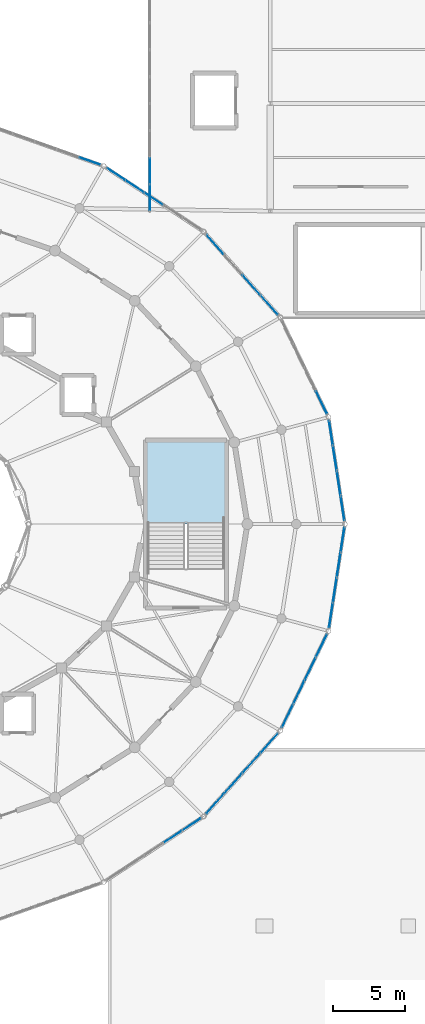
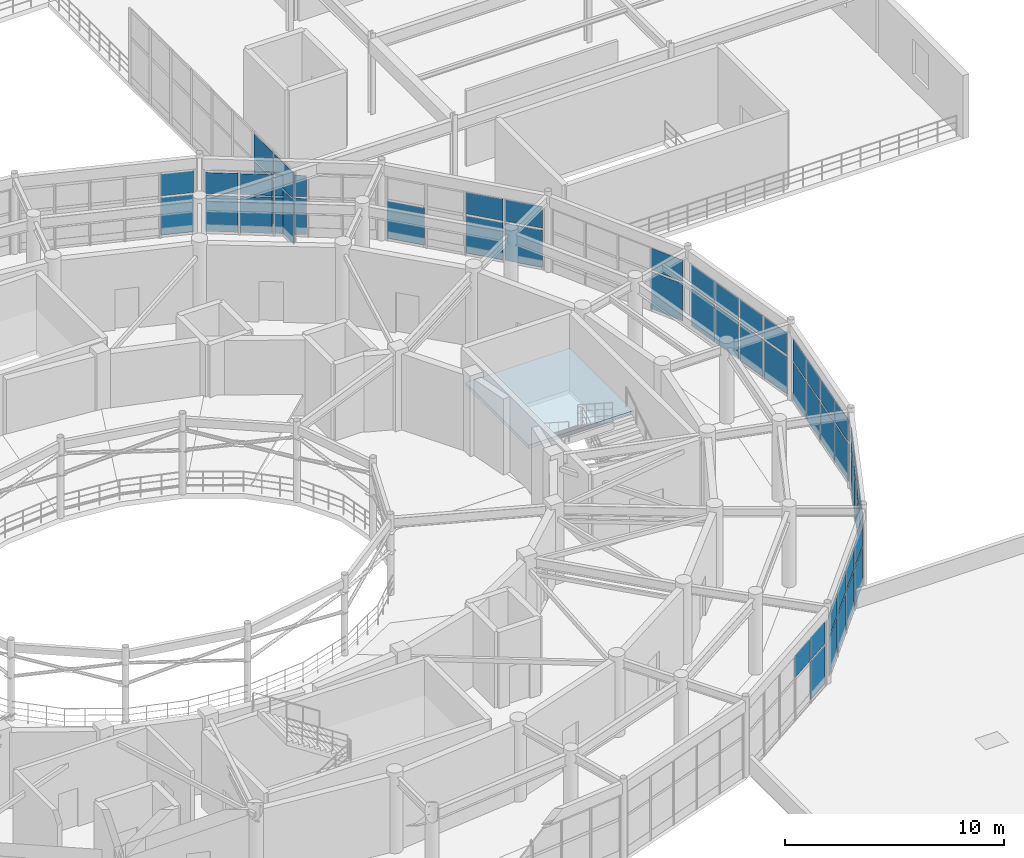
# One storey, part 78 of 112: 54 plates, 1 slab, 11 elements without a shape of their own.
"""IFC4 building model written with IfcOpenShell, lengths in metres."""

from ifc_helpers import new_model, si_unit, direction, frame, origin, origin_2d, place, context, subcontext, project, spatial, polyline, rectangle, outline, extrude, material, layer, layer_set, type_object, element, aggregate, save


model = new_model("IFC4")

# Units and contexts
model_context = context("Model", 3, precision=1e-05, world=origin(), true_north=direction((0.0, 1.0)))
body_context = subcontext(model_context, "Body", "Model", "MODEL_VIEW")
ifc_project = project(units=[si_unit("LENGTHUNIT", "METRE"), si_unit("AREAUNIT", "SQUARE_METRE"), si_unit("VOLUMEUNIT", "CUBIC_METRE"), si_unit("PLANEANGLEUNIT", "RADIAN"), si_unit("MASSUNIT", "GRAM", prefix="KILO")], contexts=[model_context])

# Site, building, storey
site_placement = place(None, origin())
site = spatial("IfcSite", under=ifc_project, at=site_placement, CompositionType="ELEMENT")
building_placement = place(site_placement, origin())
building = spatial("IfcBuilding", under=site, at=building_placement, Name="Cinderbank Siding Concert Hall", CompositionType="ELEMENT")
storey_placement = place(building_placement, frame((0.0, 0.0, 10.199951171875)))
storey = spatial("IfcBuildingStorey", under=building, at=storey_placement, Name="L03", CompositionType="ELEMENT", Elevation=10.199951171875)

# Curtain wall, plates
ifc_material_1 = material(Name="Anodised aluminium alloy 6063-T6", Category="aluminium")
curtain_wall_type_1 = type_object("IfcCurtainWallType", Name="CW-12 Unitised Acoustic Curtain Wall 5800x3500", PredefinedType="NOTDEFINED", material=ifc_material_1)
curtain_wall_1_placement = place(storey_placement, origin())
curtain_wall_1 = element("IfcCurtainWall", 1, at=curtain_wall_1_placement, inside=storey, type_object=curtain_wall_type_1, Name="L03 Curtain Wall CW-12 #48", PredefinedType="NOTDEFINED")
ifc_material_2 = material(Name="Double-glazed laminated acoustic glass", Category="glass")
ifc_layer_1 = layer(ifc_material_2, 0.035888671875)
ifc_layer_set_1 = layer_set([ifc_layer_1], Name="Double-glazed laminated acoustic glass")
plate_type_1 = type_object("IfcPlateType", Name="CP-01 Glazed Curtain Panel 1800x2200", PredefinedType="CURTAIN_PANEL", material=ifc_layer_set_1)
plate_1_placement = place(storey_placement, frame((154.6240234375, 37.64599609375, 0.1201171875), z_axis=(0.0, 0.0, 1.0), x_axis=(0.151815048473, 0.988408918949, 0.0)))
plate_1 = element("IfcPlate", 2, at=plate_1_placement, type_object=plate_type_1, Name="CW-L03-048 Glazed Panel 0-0", PredefinedType="CURTAIN_PANEL", context=body_context, shape_type="SweptSolid", body=[
    extrude(rectangle(XDim=1.671875, YDim=0.035888671875, at=origin_2d()), origin(), (0.0, 0.0, 1.0), 2.093505859375),
])
plate_2_placement = place(storey_placement, frame((154.6240234375, 37.64599609375, 2.333740234375), z_axis=(0.0, 0.0, 1.0), x_axis=(0.151815048473, 0.988408918949, 0.0)))
plate_2 = element("IfcPlate", 3, at=plate_2_placement, type_object=plate_type_1, Name="CW-L03-048 Glazed Panel 0-1", PredefinedType="CURTAIN_PANEL", context=body_context, shape_type="SweptSolid", body=[
    extrude(rectangle(XDim=1.671875, YDim=0.035888671875, at=origin_2d()), origin(), (0.0, 0.0, 1.0), 1.21337890625),
])
plate_3_placement = place(storey_placement, frame((154.89306640625, 39.397216796875, 0.1201171875), z_axis=(0.0, 0.0, 1.0), x_axis=(0.151815048473, 0.988408918949, 0.0)))
plate_3 = element("IfcPlate", 4, at=plate_3_placement, type_object=plate_type_1, Name="CW-L03-048 Glazed Panel 1-0", PredefinedType="CURTAIN_PANEL", context=body_context, shape_type="SweptSolid", body=[
    extrude(rectangle(XDim=1.671875, YDim=0.035888671875, at=origin_2d()), origin(), (0.0, 0.0, 1.0), 2.093505859375),
])
plate_4_placement = place(storey_placement, frame((154.89306640625, 39.397216796875, 2.333740234375), z_axis=(0.0, 0.0, 1.0), x_axis=(0.151815048473, 0.988408918949, 0.0)))
plate_4 = element("IfcPlate", 5, at=plate_4_placement, type_object=plate_type_1, Name="CW-L03-048 Glazed Panel 1-1", PredefinedType="CURTAIN_PANEL", context=body_context, shape_type="SweptSolid", body=[
    extrude(rectangle(XDim=1.671875, YDim=0.035888671875, at=origin_2d()), origin(), (0.0, 0.0, 1.0), 1.21337890625),
])
plate_5_placement = place(storey_placement, frame((155.162109375, 41.148681640625, 0.1201171875), z_axis=(0.0, 0.0, 1.0), x_axis=(0.151815048473, 0.988408918949, 0.0)))
plate_5 = element("IfcPlate", 6, at=plate_5_placement, type_object=plate_type_1, Name="CW-L03-048 Glazed Panel 2-0", PredefinedType="CURTAIN_PANEL", context=body_context, shape_type="SweptSolid", body=[
    extrude(rectangle(XDim=1.671875, YDim=0.035888671875, at=origin_2d()), origin(), (0.0, 0.0, 1.0), 2.093505859375),
])
plate_6_placement = place(storey_placement, frame((155.162109375, 41.148681640625, 2.333740234375), z_axis=(0.0, 0.0, 1.0), x_axis=(0.151815048473, 0.988408918949, 0.0)))
plate_6 = element("IfcPlate", 7, at=plate_6_placement, type_object=plate_type_1, Name="CW-L03-048 Glazed Panel 2-1", PredefinedType="CURTAIN_PANEL", context=body_context, shape_type="SweptSolid", body=[
    extrude(rectangle(XDim=1.671875, YDim=0.035888671875, at=origin_2d()), origin(), (0.0, 0.0, 1.0), 1.21337890625),
])
plate_7_placement = place(storey_placement, frame((155.430908203125, 42.89990234375, 0.1201171875), z_axis=(0.0, 0.0, 1.0), x_axis=(0.151815048473, 0.988408918949, 0.0)))
plate_7 = element("IfcPlate", 8, at=plate_7_placement, type_object=plate_type_1, Name="CW-L03-048 Glazed Panel 3-0", PredefinedType="CURTAIN_PANEL", context=body_context, shape_type="SweptSolid", body=[
    extrude(rectangle(XDim=1.671875, YDim=0.035888671875, at=origin_2d()), origin(), (0.0, 0.0, 1.0), 2.093505859375),
])
plate_8_placement = place(storey_placement, frame((155.430908203125, 42.89990234375, 2.333740234375), z_axis=(0.0, 0.0, 1.0), x_axis=(0.151815048473, 0.988408918949, 0.0)))
plate_8 = element("IfcPlate", 9, at=plate_8_placement, type_object=plate_type_1, Name="CW-L03-048 Glazed Panel 3-1", PredefinedType="CURTAIN_PANEL", context=body_context, shape_type="SweptSolid", body=[
    extrude(rectangle(XDim=1.671875, YDim=0.035888671875, at=origin_2d()), origin(), (0.0, 0.0, 1.0), 1.21337890625),
])
aggregate(curtain_wall_1, [plate_1, plate_2, plate_3, plate_4, plate_5, plate_6, plate_7, plate_8])

curtain_wall_type_2 = type_object("IfcCurtainWallType", Name="CW-01 Unitised Acoustic Curtain Wall 8200x4400", PredefinedType="NOTDEFINED", material=ifc_material_1)
curtain_wall_2_placement = place(storey_placement, origin())
curtain_wall_2 = element("IfcCurtainWall", 10, at=curtain_wall_2_placement, inside=storey, type_object=curtain_wall_type_2, Name="L03 Curtain Wall CW-01 #25", PredefinedType="NOTDEFINED")
ifc_layer_2 = layer(ifc_material_2, 0.035888671875)
ifc_layer_set_2 = layer_set([ifc_layer_2], Name="Double-glazed laminated acoustic glass")
plate_type_2 = type_object("IfcPlateType", Name="CP-02 Glazed Curtain Panel 1800x1900", PredefinedType="CURTAIN_PANEL", material=ifc_layer_set_2)
plate_9_placement = place(storey_placement, frame((155.430908203125, 45.10009765625, 0.1201171875), z_axis=(0.0, 0.0, 1.0), x_axis=(-0.151815048473, 0.988408918949, 0.0)))
plate_9 = element("IfcPlate", 11, at=plate_9_placement, type_object=plate_type_2, Name="CW-L03-025 Glazed Panel 0-0", PredefinedType="CURTAIN_PANEL", context=body_context, shape_type="SweptSolid", body=[
    extrude(rectangle(XDim=1.671875, YDim=0.035888671875, at=origin_2d()), origin(), (0.0, 0.0, 1.0), 2.0625),
])
plate_10_placement = place(storey_placement, frame((155.430908203125, 45.10009765625, 2.302734375), z_axis=(0.0, 0.0, 1.0), x_axis=(-0.151815048473, 0.988408918949, 0.0)))
plate_10 = element("IfcPlate", 12, at=plate_10_placement, type_object=plate_type_2, Name="CW-L03-025 Glazed Panel 0-1", PredefinedType="CURTAIN_PANEL", context=body_context, shape_type="SweptSolid", body=[
    extrude(rectangle(XDim=1.671875, YDim=0.035888671875, at=origin_2d()), origin(), (0.0, 0.0, 1.0), 1.194580078125),
])
plate_11_placement = place(storey_placement, frame((155.162109375, 46.851318359375, 0.1201171875), z_axis=(0.0, 0.0, 1.0), x_axis=(-0.151815048473, 0.988408918949, 0.0)))
plate_11 = element("IfcPlate", 13, at=plate_11_placement, type_object=plate_type_2, Name="CW-L03-025 Glazed Panel 1-0", PredefinedType="CURTAIN_PANEL", context=body_context, shape_type="SweptSolid", body=[
    extrude(rectangle(XDim=1.671875, YDim=0.035888671875, at=origin_2d()), origin(), (0.0, 0.0, 1.0), 2.0625),
])
plate_12_placement = place(storey_placement, frame((155.162109375, 46.851318359375, 2.302734375), z_axis=(0.0, 0.0, 1.0), x_axis=(-0.151815048473, 0.988408918949, 0.0)))
plate_12 = element("IfcPlate", 14, at=plate_12_placement, type_object=plate_type_2, Name="CW-L03-025 Glazed Panel 1-1", PredefinedType="CURTAIN_PANEL", context=body_context, shape_type="SweptSolid", body=[
    extrude(rectangle(XDim=1.671875, YDim=0.035888671875, at=origin_2d()), origin(), (0.0, 0.0, 1.0), 1.194580078125),
])
plate_13_placement = place(storey_placement, frame((154.89306640625, 48.602783203125, 0.1201171875), z_axis=(0.0, 0.0, 1.0), x_axis=(-0.151815048473, 0.988408918949, 0.0)))
plate_13 = element("IfcPlate", 15, at=plate_13_placement, type_object=plate_type_2, Name="CW-L03-025 Glazed Panel 2-0", PredefinedType="CURTAIN_PANEL", context=body_context, shape_type="SweptSolid", body=[
    extrude(rectangle(XDim=1.671875, YDim=0.035888671875, at=origin_2d()), origin(), (0.0, 0.0, 1.0), 2.0625),
])
plate_14_placement = place(storey_placement, frame((154.89306640625, 48.602783203125, 2.302734375), z_axis=(0.0, 0.0, 1.0), x_axis=(-0.151815048473, 0.988408918949, 0.0)))
plate_14 = element("IfcPlate", 16, at=plate_14_placement, type_object=plate_type_2, Name="CW-L03-025 Glazed Panel 2-1", PredefinedType="CURTAIN_PANEL", context=body_context, shape_type="SweptSolid", body=[
    extrude(rectangle(XDim=1.671875, YDim=0.035888671875, at=origin_2d()), origin(), (0.0, 0.0, 1.0), 1.194580078125),
])
plate_15_placement = place(storey_placement, frame((154.6240234375, 50.35400390625, 0.1201171875), z_axis=(0.0, 0.0, 1.0), x_axis=(-0.151815048473, 0.988408918949, 0.0)))
plate_15 = element("IfcPlate", 17, at=plate_15_placement, type_object=plate_type_2, Name="CW-L03-025 Glazed Panel 3-0", PredefinedType="CURTAIN_PANEL", context=body_context, shape_type="SweptSolid", body=[
    extrude(rectangle(XDim=1.671875, YDim=0.035888671875, at=origin_2d()), origin(), (0.0, 0.0, 1.0), 2.0625),
])
plate_16_placement = place(storey_placement, frame((154.6240234375, 50.35400390625, 2.302734375), z_axis=(0.0, 0.0, 1.0), x_axis=(-0.151815048473, 0.988408918949, 0.0)))
plate_16 = element("IfcPlate", 18, at=plate_16_placement, type_object=plate_type_2, Name="CW-L03-025 Glazed Panel 3-1", PredefinedType="CURTAIN_PANEL", context=body_context, shape_type="SweptSolid", body=[
    extrude(rectangle(XDim=1.671875, YDim=0.035888671875, at=origin_2d()), origin(), (0.0, 0.0, 1.0), 1.194580078125),
])
aggregate(curtain_wall_2, [plate_9, plate_10, plate_11, plate_12, plate_13, plate_14, plate_15, plate_16])

curtain_wall_type_3 = type_object("IfcCurtainWallType", Name="CW-02 Unitised Acoustic Curtain Wall 7800x4400", PredefinedType="NOTDEFINED", material=ifc_material_1)
curtain_wall_3_placement = place(storey_placement, origin())
curtain_wall_3 = element("IfcCurtainWall", 19, at=curtain_wall_3_placement, inside=storey, type_object=curtain_wall_type_3, Name="L03 Curtain Wall CW-02 #26", PredefinedType="NOTDEFINED")
ifc_layer_3 = layer(ifc_material_2, 0.035888671875)
ifc_layer_set_3 = layer_set([ifc_layer_3], Name="Double-glazed laminated acoustic glass")
plate_type_3 = type_object("IfcPlateType", Name="CP-03 Glazed Curtain Panel 1600x2100", PredefinedType="CURTAIN_PANEL", material=ifc_layer_set_3)
plate_17_placement = place(storey_placement, frame((153.96142578125, 52.4755859375, 0.1201171875), z_axis=(0.0, 0.0, 1.0), x_axis=(-0.435102109714, 0.900381116041, 0.0)))
plate_17 = element("IfcPlate", 20, at=plate_17_placement, type_object=plate_type_3, Name="CW-L03-026 Glazed Panel 0-0", PredefinedType="CURTAIN_PANEL", context=body_context, shape_type="SweptSolid", body=[
    extrude(rectangle(XDim=1.715087890625, YDim=0.035888671875, at=origin_2d()), origin(), (0.0, 0.0, 1.0), 2.0625),
])
plate_18_placement = place(storey_placement, frame((153.96142578125, 52.4755859375, 2.302734375), z_axis=(0.0, 0.0, 1.0), x_axis=(-0.435102109714, 0.900381116041, 0.0)))
plate_18 = element("IfcPlate", 21, at=plate_18_placement, type_object=plate_type_3, Name="CW-L03-026 Glazed Panel 0-1", PredefinedType="CURTAIN_PANEL", context=body_context, shape_type="SweptSolid", body=[
    extrude(rectangle(XDim=1.715087890625, YDim=0.035888671875, at=origin_2d()), origin(), (0.0, 0.0, 1.0), 1.194580078125),
])
aggregate(curtain_wall_3, [plate_17, plate_18])

curtain_wall_type_4 = type_object("IfcCurtainWallType", Name="CW-03 Unitised Acoustic Curtain Wall 7400x4400", PredefinedType="NOTDEFINED", material=ifc_material_1)
curtain_wall_4_placement = place(storey_placement, origin())
curtain_wall_4 = element("IfcCurtainWall", 22, at=curtain_wall_4_placement, inside=storey, type_object=curtain_wall_type_4, Name="L03 Curtain Wall CW-03 #27", PredefinedType="NOTDEFINED")
ifc_layer_4 = layer(ifc_material_2, 0.031982421875)
ifc_layer_set_4 = layer_set([ifc_layer_4], Name="Double-glazed laminated acoustic glass")
plate_type_4 = type_object("IfcPlateType", Name="CP-04 Glazed Curtain Panel 1400x2000", PredefinedType="CURTAIN_PANEL", material=ifc_layer_set_4)
plate_19_placement = place(storey_placement, frame((150.3173828125, 59.2724609375, 0.1201171875), z_axis=(0.0, 0.0, 1.0), x_axis=(-0.666993465338, 0.745063565877, 0.0)))
plate_19 = element("IfcPlate", 23, at=plate_19_placement, type_object=plate_type_4, Name="CW-L03-027 Glazed Panel 0-0", PredefinedType="CURTAIN_PANEL", context=body_context, shape_type="SweptSolid", body=[
    extrude(rectangle(XDim=1.787841796875, YDim=0.035888671875, at=origin_2d()), origin(), (0.0, 0.0, 1.0), 2.0625),
])
plate_20_placement = place(storey_placement, frame((150.3173828125, 59.2724609375, 2.302734375), z_axis=(0.0, 0.0, 1.0), x_axis=(-0.666993465338, 0.745063565877, 0.0)))
plate_20 = element("IfcPlate", 24, at=plate_20_placement, type_object=plate_type_4, Name="CW-L03-027 Glazed Panel 0-1", PredefinedType="CURTAIN_PANEL", context=body_context, shape_type="SweptSolid", body=[
    extrude(rectangle(XDim=1.787841796875, YDim=0.035888671875, at=origin_2d()), origin(), (0.0, 0.0, 1.0), 1.194580078125),
])
plate_21_placement = place(storey_placement, frame((149.058349609375, 60.678955078125, 0.1201171875), z_axis=(0.0, 0.0, 1.0), x_axis=(-0.666993465338, 0.745063565877, 0.0)))
plate_21 = element("IfcPlate", 25, at=plate_21_placement, type_object=plate_type_4, Name="CW-L03-027 Glazed Panel 1-0", PredefinedType="CURTAIN_PANEL", context=body_context, shape_type="SweptSolid", body=[
    extrude(rectangle(XDim=1.787841796875, YDim=0.035888671875, at=origin_2d()), origin(), (0.0, 0.0, 1.0), 2.0625),
])
plate_22_placement = place(storey_placement, frame((149.058349609375, 60.678955078125, 2.302734375), z_axis=(0.0, 0.0, 1.0), x_axis=(-0.666993465338, 0.745063565877, 0.0)))
plate_22 = element("IfcPlate", 26, at=plate_22_placement, type_object=plate_type_4, Name="CW-L03-027 Glazed Panel 1-1", PredefinedType="CURTAIN_PANEL", context=body_context, shape_type="SweptSolid", body=[
    extrude(rectangle(XDim=1.787841796875, YDim=0.035888671875, at=origin_2d()), origin(), (0.0, 0.0, 1.0), 1.194580078125),
])
plate_23_placement = place(storey_placement, frame((146.539794921875, 63.4921875, 0.1201171875), z_axis=(0.0, 0.0, 1.0), x_axis=(-0.666993465338, 0.745063565877, 0.0)))
plate_23 = element("IfcPlate", 27, at=plate_23_placement, type_object=plate_type_4, Name="CW-L03-027 Glazed Panel 3-0", PredefinedType="CURTAIN_PANEL", context=body_context, shape_type="SweptSolid", body=[
    extrude(rectangle(XDim=1.787841796875, YDim=0.035888671875, at=origin_2d()), origin(), (0.0, 0.0, 1.0), 2.0625),
])
aggregate(curtain_wall_4, [plate_19, plate_20, plate_21, plate_22, plate_23])

curtain_wall_type_5 = type_object("IfcCurtainWallType", Name="CW-04 Unitised Acoustic Curtain Wall 7000x4400", PredefinedType="NOTDEFINED", material=ifc_material_1)
curtain_wall_5_placement = place(storey_placement, origin())
curtain_wall_5 = element("IfcCurtainWall", 28, at=curtain_wall_5_placement, inside=storey, type_object=curtain_wall_type_5, Name="L03 Curtain Wall CW-04 #28", PredefinedType="NOTDEFINED")
ifc_layer_5 = layer(ifc_material_2, 0.031982421875)
ifc_layer_set_5 = layer_set([ifc_layer_5], Name="Double-glazed laminated acoustic glass")
plate_type_5 = type_object("IfcPlateType", Name="CP-05 Glazed Curtain Panel 1200x1800", PredefinedType="CURTAIN_PANEL", material=ifc_layer_set_5)
plate_24_placement = place(storey_placement, frame((142.279296875, 66.653076171875, 0.1201171875), z_axis=(0.0, 0.0, 1.0), x_axis=(-0.835491932304, 0.549502712509, 0.0)))
plate_24 = element("IfcPlate", 29, at=plate_24_placement, type_object=plate_type_5, Name="CW-L03-028 Glazed Panel 2-0", PredefinedType="CURTAIN_PANEL", context=body_context, shape_type="SweptSolid", body=[
    extrude(rectangle(XDim=1.47509765625, YDim=0.035888671875, at=origin_2d()), origin(), (0.0, 0.0, 1.0), 2.00048828125),
])
plate_25_placement = place(storey_placement, frame((142.279296875, 66.653076171875, 2.24072265625), z_axis=(0.0, 0.0, 1.0), x_axis=(-0.835491932304, 0.549502712509, 0.0)))
plate_25 = element("IfcPlate", 30, at=plate_25_placement, type_object=plate_type_5, Name="CW-L03-028 Glazed Panel 2-1", PredefinedType="CURTAIN_PANEL", context=body_context, shape_type="SweptSolid", body=[
    extrude(rectangle(XDim=1.47509765625, YDim=0.035888671875, at=origin_2d()), origin(), (0.0, 0.0, 1.0), 1.156494140625),
])
plate_26_placement = place(storey_placement, frame((140.96337890625, 67.5185546875, 0.1201171875), z_axis=(0.0, 0.0, 1.0), x_axis=(-0.835491932304, 0.549502712509, 0.0)))
plate_26 = element("IfcPlate", 31, at=plate_26_placement, type_object=plate_type_5, Name="CW-L03-028 Glazed Panel 3-0", PredefinedType="CURTAIN_PANEL", context=body_context, shape_type="SweptSolid", body=[
    extrude(rectangle(XDim=1.47509765625, YDim=0.035888671875, at=origin_2d()), origin(), (0.0, 0.0, 1.0), 2.00048828125),
])
plate_27_placement = place(storey_placement, frame((140.96337890625, 67.5185546875, 2.24072265625), z_axis=(0.0, 0.0, 1.0), x_axis=(-0.835491932304, 0.549502712509, 0.0)))
plate_27 = element("IfcPlate", 32, at=plate_27_placement, type_object=plate_type_5, Name="CW-L03-028 Glazed Panel 3-1", PredefinedType="CURTAIN_PANEL", context=body_context, shape_type="SweptSolid", body=[
    extrude(rectangle(XDim=1.47509765625, YDim=0.035888671875, at=origin_2d()), origin(), (0.0, 0.0, 1.0), 1.156494140625),
])
plate_28_placement = place(storey_placement, frame((139.647705078125, 68.384033203125, 0.1201171875), z_axis=(0.0, 0.0, 1.0), x_axis=(-0.835491932304, 0.549502712509, 0.0)))
plate_28 = element("IfcPlate", 33, at=plate_28_placement, type_object=plate_type_5, Name="CW-L03-028 Glazed Panel 4-0", PredefinedType="CURTAIN_PANEL", context=body_context, shape_type="SweptSolid", body=[
    extrude(rectangle(XDim=1.47509765625, YDim=0.035888671875, at=origin_2d()), origin(), (0.0, 0.0, 1.0), 2.00048828125),
])
plate_29_placement = place(storey_placement, frame((139.647705078125, 68.384033203125, 2.24072265625), z_axis=(0.0, 0.0, 1.0), x_axis=(-0.835491932304, 0.549502712509, 0.0)))
plate_29 = element("IfcPlate", 34, at=plate_29_placement, type_object=plate_type_5, Name="CW-L03-028 Glazed Panel 4-1", PredefinedType="CURTAIN_PANEL", context=body_context, shape_type="SweptSolid", body=[
    extrude(rectangle(XDim=1.47509765625, YDim=0.035888671875, at=origin_2d()), origin(), (0.0, 0.0, 1.0), 1.156494140625),
])
aggregate(curtain_wall_5, [plate_24, plate_25, plate_26, plate_27, plate_28, plate_29])

curtain_wall_type_6 = type_object("IfcCurtainWallType", Name="CW-16 Unitised Acoustic Curtain Wall 9200x3800", PredefinedType="NOTDEFINED", material=ifc_material_1)
curtain_wall_6_placement = place(storey_placement, origin())
curtain_wall_6 = element("IfcCurtainWall", 35, at=curtain_wall_6_placement, inside=storey, type_object=curtain_wall_type_6, Name="L03 Curtain Wall CW-16 #148", PredefinedType="NOTDEFINED")
plate_30_placement = place(storey_placement, frame((142.0, 66.737548828125, 0.1201171875), z_axis=(0.0, 0.0, 1.0), x_axis=(0.0, 1.0, 0.0)))
plate_30 = element("IfcPlate", 36, at=plate_30_placement, type_object=plate_type_5, Name="CW-L03-148 Glazed Panel 0-0", PredefinedType="CURTAIN_PANEL", context=body_context, shape_type="SweptSolid", body=[
    extrude(rectangle(XDim=1.77490234375, YDim=0.035888671875, at=origin_2d()), origin(), (0.0, 0.0, 1.0), 2.433349609375),
])
plate_31_placement = place(storey_placement, frame((142.0, 66.737548828125, 2.67333984375), z_axis=(0.0, 0.0, 1.0), x_axis=(0.0, 1.0, 0.0)))
plate_31 = element("IfcPlate", 37, at=plate_31_placement, type_object=plate_type_5, Name="CW-L03-148 Glazed Panel 0-1", PredefinedType="CURTAIN_PANEL", context=body_context, shape_type="SweptSolid", body=[
    extrude(rectangle(XDim=1.77490234375, YDim=0.035888671875, at=origin_2d()), origin(), (0.0, 0.0, 1.0), 1.421630859375),
])
plate_32_placement = place(storey_placement, frame((142.0, 68.612548828125, 0.1201171875), z_axis=(0.0, 0.0, 1.0), x_axis=(0.0, 1.0, 0.0)))
plate_32 = element("IfcPlate", 38, at=plate_32_placement, type_object=plate_type_5, Name="CW-L03-148 Glazed Panel 1-0", PredefinedType="CURTAIN_PANEL", context=body_context, shape_type="SweptSolid", body=[
    extrude(rectangle(XDim=1.77490234375, YDim=0.035888671875, at=origin_2d()), origin(), (0.0, 0.0, 1.0), 2.433349609375),
])
plate_33_placement = place(storey_placement, frame((142.0, 68.612548828125, 2.67333984375), z_axis=(0.0, 0.0, 1.0), x_axis=(0.0, 1.0, 0.0)))
plate_33 = element("IfcPlate", 39, at=plate_33_placement, type_object=plate_type_5, Name="CW-L03-148 Glazed Panel 1-1", PredefinedType="CURTAIN_PANEL", context=body_context, shape_type="SweptSolid", body=[
    extrude(rectangle(XDim=1.77490234375, YDim=0.035888671875, at=origin_2d()), origin(), (0.0, 0.0, 1.0), 1.421630859375),
])
aggregate(curtain_wall_6, [plate_30, plate_31, plate_32, plate_33])

curtain_wall_type_7 = type_object("IfcCurtainWallType", Name="CW-05 Unitised Acoustic Curtain Wall 8200x3800", PredefinedType="NOTDEFINED", material=ifc_material_1)
curtain_wall_7_placement = place(storey_placement, origin())
curtain_wall_7 = element("IfcCurtainWall", 40, at=curtain_wall_7_placement, inside=storey, type_object=curtain_wall_type_7, Name="L03 Curtain Wall CW-05 #29", PredefinedType="NOTDEFINED")
ifc_layer_6 = layer(ifc_material_2, 0.0380859375)
ifc_layer_set_6 = layer_set([ifc_layer_6], Name="Double-glazed laminated acoustic glass")
plate_type_6 = type_object("IfcPlateType", Name="CP-06 Glazed Curtain Panel 2100x1600", PredefinedType="CURTAIN_PANEL", material=ifc_layer_set_6)
plate_34_placement = place(storey_placement, frame((137.818603515625, 69.2900390625, 0.1201171875), z_axis=(0.0, 0.0, 1.0), x_axis=(-0.942365662238, 0.334584755532, 0.0)))
plate_34 = element("IfcPlate", 41, at=plate_34_placement, type_object=plate_type_6, Name="CW-L03-029 Glazed Panel 0-0", PredefinedType="CURTAIN_PANEL", context=body_context, shape_type="SweptSolid", body=[
    extrude(rectangle(XDim=1.529052734375, YDim=0.035888671875, at=origin_2d()), origin(), (0.0, 0.0, 1.0), 2.0625),
])
plate_35_placement = place(storey_placement, frame((137.818603515625, 69.2900390625, 2.302734375), z_axis=(0.0, 0.0, 1.0), x_axis=(-0.942365662238, 0.334584755532, 0.0)))
plate_35 = element("IfcPlate", 42, at=plate_35_placement, type_object=plate_type_6, Name="CW-L03-029 Glazed Panel 0-1", PredefinedType="CURTAIN_PANEL", context=body_context, shape_type="SweptSolid", body=[
    extrude(rectangle(XDim=1.529052734375, YDim=0.035888671875, at=origin_2d()), origin(), (0.0, 0.0, 1.0), 1.194580078125),
])
aggregate(curtain_wall_7, [plate_34, plate_35])

curtain_wall_type_8 = type_object("IfcCurtainWallType", Name="CW-09 Unitised Acoustic Curtain Wall 8000x3500", PredefinedType="NOTDEFINED", material=ifc_material_1)
curtain_wall_8_placement = place(storey_placement, origin())
curtain_wall_8 = element("IfcCurtainWall", 43, at=curtain_wall_8_placement, inside=storey, type_object=curtain_wall_type_8, Name="L03 Curtain Wall CW-09 #45", PredefinedType="NOTDEFINED")
plate_36_placement = place(storey_placement, frame((143.59521484375, 22.21240234375, 2.333740234375), z_axis=(0.0, 0.0, 1.0), x_axis=(0.835491932304, 0.549502712509, 0.0)))
plate_36 = element("IfcPlate", 44, at=plate_36_placement, type_object=plate_type_6, Name="CW-L03-045 Glazed Panel 3-1", PredefinedType="CURTAIN_PANEL", context=body_context, shape_type="SweptSolid", body=[
    extrude(rectangle(XDim=1.47509765625, YDim=0.035888671875, at=origin_2d()), origin(), (0.0, 0.0, 1.0), 1.21337890625),
])
plate_37_placement = place(storey_placement, frame((144.9111328125, 23.077880859375, 0.1201171875), z_axis=(0.0, 0.0, 1.0), x_axis=(0.835491932304, 0.549502712509, 0.0)))
plate_37 = element("IfcPlate", 45, at=plate_37_placement, type_object=plate_type_6, Name="CW-L03-045 Glazed Panel 4-0", PredefinedType="CURTAIN_PANEL", context=body_context, shape_type="SweptSolid", body=[
    extrude(rectangle(XDim=1.47509765625, YDim=0.035888671875, at=origin_2d()), origin(), (0.0, 0.0, 1.0), 2.093505859375),
])
plate_38_placement = place(storey_placement, frame((144.9111328125, 23.077880859375, 2.333740234375), z_axis=(0.0, 0.0, 1.0), x_axis=(0.835491932304, 0.549502712509, 0.0)))
plate_38 = element("IfcPlate", 46, at=plate_38_placement, type_object=plate_type_6, Name="CW-L03-045 Glazed Panel 4-1", PredefinedType="CURTAIN_PANEL", context=body_context, shape_type="SweptSolid", body=[
    extrude(rectangle(XDim=1.47509765625, YDim=0.035888671875, at=origin_2d()), origin(), (0.0, 0.0, 1.0), 1.21337890625),
])
aggregate(curtain_wall_8, [plate_36, plate_37, plate_38])

curtain_wall_type_9 = type_object("IfcCurtainWallType", Name="CW-10 Unitised Acoustic Curtain Wall 7200x3500", PredefinedType="NOTDEFINED", material=ifc_material_1)
curtain_wall_9_placement = place(storey_placement, origin())
curtain_wall_9 = element("IfcCurtainWall", 47, at=curtain_wall_9_placement, inside=storey, type_object=curtain_wall_type_9, Name="L03 Curtain Wall CW-10 #46", PredefinedType="NOTDEFINED")
ifc_layer_7 = layer(ifc_material_2, 0.033935546875)
ifc_layer_set_7 = layer_set([ifc_layer_7], Name="Double-glazed laminated acoustic glass")
plate_type_7 = type_object("IfcPlateType", Name="CP-07 Glazed Curtain Panel 1500x1750", PredefinedType="CURTAIN_PANEL", material=ifc_layer_set_7)
plate_39_placement = place(storey_placement, frame((146.539794921875, 24.5078125, 0.1201171875), z_axis=(0.0, 0.0, 1.0), x_axis=(0.666993465338, 0.745063565877, 0.0)))
plate_39 = element("IfcPlate", 48, at=plate_39_placement, type_object=plate_type_7, Name="CW-L03-046 Glazed Panel 0-0", PredefinedType="CURTAIN_PANEL", context=body_context, shape_type="SweptSolid", body=[
    extrude(rectangle(XDim=1.787841796875, YDim=0.035888671875, at=origin_2d()), origin(), (0.0, 0.0, 1.0), 2.093505859375),
])
plate_40_placement = place(storey_placement, frame((146.539794921875, 24.5078125, 2.333740234375), z_axis=(0.0, 0.0, 1.0), x_axis=(0.666993465338, 0.745063565877, 0.0)))
plate_40 = element("IfcPlate", 49, at=plate_40_placement, type_object=plate_type_7, Name="CW-L03-046 Glazed Panel 0-1", PredefinedType="CURTAIN_PANEL", context=body_context, shape_type="SweptSolid", body=[
    extrude(rectangle(XDim=1.787841796875, YDim=0.035888671875, at=origin_2d()), origin(), (0.0, 0.0, 1.0), 1.21337890625),
])
plate_41_placement = place(storey_placement, frame((147.799072265625, 25.914306640625, 0.1201171875), z_axis=(0.0, 0.0, 1.0), x_axis=(0.666993465338, 0.745063565877, 0.0)))
plate_41 = element("IfcPlate", 50, at=plate_41_placement, type_object=plate_type_7, Name="CW-L03-046 Glazed Panel 1-0", PredefinedType="CURTAIN_PANEL", context=body_context, shape_type="SweptSolid", body=[
    extrude(rectangle(XDim=1.787841796875, YDim=0.035888671875, at=origin_2d()), origin(), (0.0, 0.0, 1.0), 2.093505859375),
])
plate_42_placement = place(storey_placement, frame((147.799072265625, 25.914306640625, 2.333740234375), z_axis=(0.0, 0.0, 1.0), x_axis=(0.666993465338, 0.745063565877, 0.0)))
plate_42 = element("IfcPlate", 51, at=plate_42_placement, type_object=plate_type_7, Name="CW-L03-046 Glazed Panel 1-1", PredefinedType="CURTAIN_PANEL", context=body_context, shape_type="SweptSolid", body=[
    extrude(rectangle(XDim=1.787841796875, YDim=0.035888671875, at=origin_2d()), origin(), (0.0, 0.0, 1.0), 1.21337890625),
])
plate_43_placement = place(storey_placement, frame((149.058349609375, 27.321044921875, 0.1201171875), z_axis=(0.0, 0.0, 1.0), x_axis=(0.666993465338, 0.745063565877, 0.0)))
plate_43 = element("IfcPlate", 52, at=plate_43_placement, type_object=plate_type_7, Name="CW-L03-046 Glazed Panel 2-0", PredefinedType="CURTAIN_PANEL", context=body_context, shape_type="SweptSolid", body=[
    extrude(rectangle(XDim=1.787841796875, YDim=0.035888671875, at=origin_2d()), origin(), (0.0, 0.0, 1.0), 2.093505859375),
])
plate_44_placement = place(storey_placement, frame((149.058349609375, 27.321044921875, 2.333740234375), z_axis=(0.0, 0.0, 1.0), x_axis=(0.666993465338, 0.745063565877, 0.0)))
plate_44 = element("IfcPlate", 53, at=plate_44_placement, type_object=plate_type_7, Name="CW-L03-046 Glazed Panel 2-1", PredefinedType="CURTAIN_PANEL", context=body_context, shape_type="SweptSolid", body=[
    extrude(rectangle(XDim=1.787841796875, YDim=0.035888671875, at=origin_2d()), origin(), (0.0, 0.0, 1.0), 1.21337890625),
])
plate_45_placement = place(storey_placement, frame((150.3173828125, 28.7275390625, 0.1201171875), z_axis=(0.0, 0.0, 1.0), x_axis=(0.666993465338, 0.745063565877, 0.0)))
plate_45 = element("IfcPlate", 54, at=plate_45_placement, type_object=plate_type_7, Name="CW-L03-046 Glazed Panel 3-0", PredefinedType="CURTAIN_PANEL", context=body_context, shape_type="SweptSolid", body=[
    extrude(rectangle(XDim=1.787841796875, YDim=0.035888671875, at=origin_2d()), origin(), (0.0, 0.0, 1.0), 2.093505859375),
])
plate_46_placement = place(storey_placement, frame((150.3173828125, 28.7275390625, 2.333740234375), z_axis=(0.0, 0.0, 1.0), x_axis=(0.666993465338, 0.745063565877, 0.0)))
plate_46 = element("IfcPlate", 55, at=plate_46_placement, type_object=plate_type_7, Name="CW-L03-046 Glazed Panel 3-1", PredefinedType="CURTAIN_PANEL", context=body_context, shape_type="SweptSolid", body=[
    extrude(rectangle(XDim=1.787841796875, YDim=0.035888671875, at=origin_2d()), origin(), (0.0, 0.0, 1.0), 1.21337890625),
])
aggregate(curtain_wall_9, [plate_39, plate_40, plate_41, plate_42, plate_43, plate_44, plate_45, plate_46])

curtain_wall_type_10 = type_object("IfcCurtainWallType", Name="CW-11 Unitised Acoustic Curtain Wall 6600x3500", PredefinedType="NOTDEFINED", material=ifc_material_1)
curtain_wall_10_placement = place(storey_placement, origin())
curtain_wall_10 = element("IfcCurtainWall", 56, at=curtain_wall_10_placement, inside=storey, type_object=curtain_wall_type_10, Name="L03 Curtain Wall CW-11 #47", PredefinedType="NOTDEFINED")
ifc_layer_8 = layer(ifc_material_2, 0.033935546875)
ifc_layer_set_8 = layer_set([ifc_layer_8], Name="Double-glazed laminated acoustic glass")
plate_type_8 = type_object("IfcPlateType", Name="CP-08 Glazed Curtain Panel 1700x1550", PredefinedType="CURTAIN_PANEL", material=ifc_layer_set_8)
plate_47_placement = place(storey_placement, frame((151.592041015625, 30.62158203125, 0.1201171875), z_axis=(0.0, 0.0, 1.0), x_axis=(0.435102109714, 0.900381116041, 0.0)))
plate_47 = element("IfcPlate", 57, at=plate_47_placement, type_object=plate_type_8, Name="CW-L03-047 Glazed Panel 0-0", PredefinedType="CURTAIN_PANEL", context=body_context, shape_type="SweptSolid", body=[
    extrude(rectangle(XDim=1.715087890625, YDim=0.035888671875, at=origin_2d()), origin(), (0.0, 0.0, 1.0), 2.093505859375),
])
plate_48_placement = place(storey_placement, frame((151.592041015625, 30.62158203125, 2.333740234375), z_axis=(0.0, 0.0, 1.0), x_axis=(0.435102109714, 0.900381116041, 0.0)))
plate_48 = element("IfcPlate", 58, at=plate_48_placement, type_object=plate_type_8, Name="CW-L03-047 Glazed Panel 0-1", PredefinedType="CURTAIN_PANEL", context=body_context, shape_type="SweptSolid", body=[
    extrude(rectangle(XDim=1.715087890625, YDim=0.035888671875, at=origin_2d()), origin(), (0.0, 0.0, 1.0), 1.21337890625),
])
plate_49_placement = place(storey_placement, frame((152.3818359375, 32.255859375, 0.1201171875), z_axis=(0.0, 0.0, 1.0), x_axis=(0.435102109714, 0.900381116041, 0.0)))
plate_49 = element("IfcPlate", 59, at=plate_49_placement, type_object=plate_type_8, Name="CW-L03-047 Glazed Panel 1-0", PredefinedType="CURTAIN_PANEL", context=body_context, shape_type="SweptSolid", body=[
    extrude(rectangle(XDim=1.715087890625, YDim=0.035888671875, at=origin_2d()), origin(), (0.0, 0.0, 1.0), 2.093505859375),
])
plate_50_placement = place(storey_placement, frame((152.3818359375, 32.255859375, 2.333740234375), z_axis=(0.0, 0.0, 1.0), x_axis=(0.435102109714, 0.900381116041, 0.0)))
plate_50 = element("IfcPlate", 60, at=plate_50_placement, type_object=plate_type_8, Name="CW-L03-047 Glazed Panel 1-1", PredefinedType="CURTAIN_PANEL", context=body_context, shape_type="SweptSolid", body=[
    extrude(rectangle(XDim=1.715087890625, YDim=0.035888671875, at=origin_2d()), origin(), (0.0, 0.0, 1.0), 1.21337890625),
])
plate_51_placement = place(storey_placement, frame((153.171630859375, 33.89013671875, 0.1201171875), z_axis=(0.0, 0.0, 1.0), x_axis=(0.435102109714, 0.900381116041, 0.0)))
plate_51 = element("IfcPlate", 61, at=plate_51_placement, type_object=plate_type_8, Name="CW-L03-047 Glazed Panel 2-0", PredefinedType="CURTAIN_PANEL", context=body_context, shape_type="SweptSolid", body=[
    extrude(rectangle(XDim=1.715087890625, YDim=0.035888671875, at=origin_2d()), origin(), (0.0, 0.0, 1.0), 2.093505859375),
])
plate_52_placement = place(storey_placement, frame((153.171630859375, 33.89013671875, 2.333740234375), z_axis=(0.0, 0.0, 1.0), x_axis=(0.435102109714, 0.900381116041, 0.0)))
plate_52 = element("IfcPlate", 62, at=plate_52_placement, type_object=plate_type_8, Name="CW-L03-047 Glazed Panel 2-1", PredefinedType="CURTAIN_PANEL", context=body_context, shape_type="SweptSolid", body=[
    extrude(rectangle(XDim=1.715087890625, YDim=0.035888671875, at=origin_2d()), origin(), (0.0, 0.0, 1.0), 1.21337890625),
])
plate_53_placement = place(storey_placement, frame((153.96142578125, 35.5244140625, 0.1201171875), z_axis=(0.0, 0.0, 1.0), x_axis=(0.435102109714, 0.900381116041, 0.0)))
plate_53 = element("IfcPlate", 63, at=plate_53_placement, type_object=plate_type_8, Name="CW-L03-047 Glazed Panel 3-0", PredefinedType="CURTAIN_PANEL", context=body_context, shape_type="SweptSolid", body=[
    extrude(rectangle(XDim=1.715087890625, YDim=0.035888671875, at=origin_2d()), origin(), (0.0, 0.0, 1.0), 2.093505859375),
])
plate_54_placement = place(storey_placement, frame((153.96142578125, 35.5244140625, 2.333740234375), z_axis=(0.0, 0.0, 1.0), x_axis=(0.435102109714, 0.900381116041, 0.0)))
plate_54 = element("IfcPlate", 64, at=plate_54_placement, type_object=plate_type_8, Name="CW-L03-047 Glazed Panel 3-1", PredefinedType="CURTAIN_PANEL", context=body_context, shape_type="SweptSolid", body=[
    extrude(rectangle(XDim=1.715087890625, YDim=0.035888671875, at=origin_2d()), origin(), (0.0, 0.0, 1.0), 1.21337890625),
])
aggregate(curtain_wall_10, [plate_47, plate_48, plate_49, plate_50, plate_51, plate_52, plate_53, plate_54])

# Stair, slab
ifc_material_3 = material(Name="Reinforced concrete AS 3600 N50 (50 MPa)", Category="concrete")
stair_type = type_object("IfcStairType", Name="STR-B Dogleg Exit Stair 2600mm", PredefinedType="HALF_TURN_STAIR", material=ifc_material_3)
stair_placement = place(storey_placement, origin())
stair = element("IfcStair", 65, at=stair_placement, inside=storey, type_object=stair_type, Name="L03 Fire-isolated Exit Stair ST-03", PredefinedType="HALF_TURN_STAIR")
ifc_layer_9 = layer(ifc_material_3, 0.199951171875)
ifc_layer_set_9 = layer_set([ifc_layer_9], Name="Reinforced concrete AS 3600 N50 (50 MPa)")
slab_type = type_object("IfcSlabType", Name="LD-02 Slab 200mm", PredefinedType="LANDING", material=ifc_layer_set_9)
slab_placement = place(storey_placement, frame((0.0, 0.0, 2.050048828125)))
slab = element("IfcSlab", 66, at=slab_placement, type_object=slab_type, Name="ST-03 landing 1", PredefinedType="LANDING", context=body_context, shape_type="SweptSolid", body=[
    extrude(outline(polyline([(147.280029296875, 44.010009765625), (141.760009765625, 44.010009765625), (141.760009765625, 49.780029296875), (147.280029296875, 49.780029296875), (147.280029296875, 44.010009765625)])), origin(), (0.0, 0.0, 1.0), 0.199951171875),
])
aggregate(stair, [slab])

save(model, "model.ifc")
